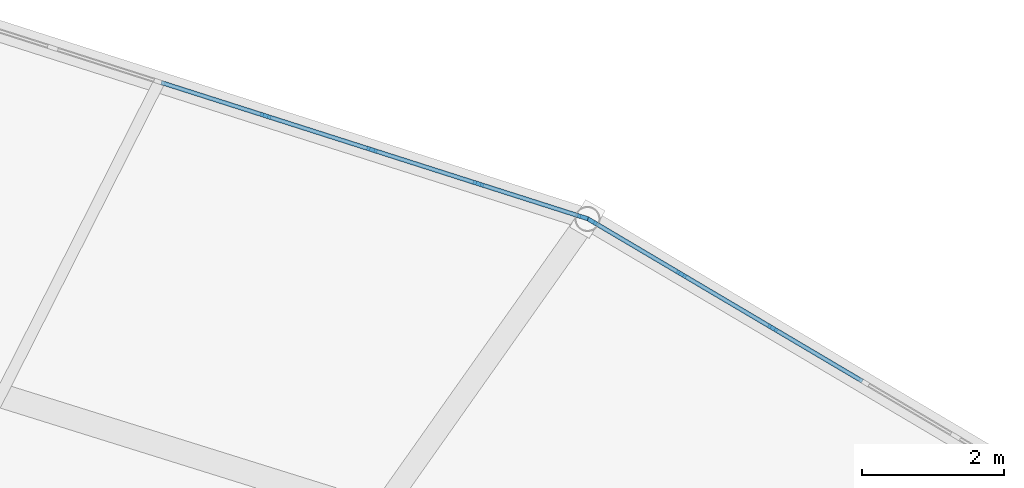
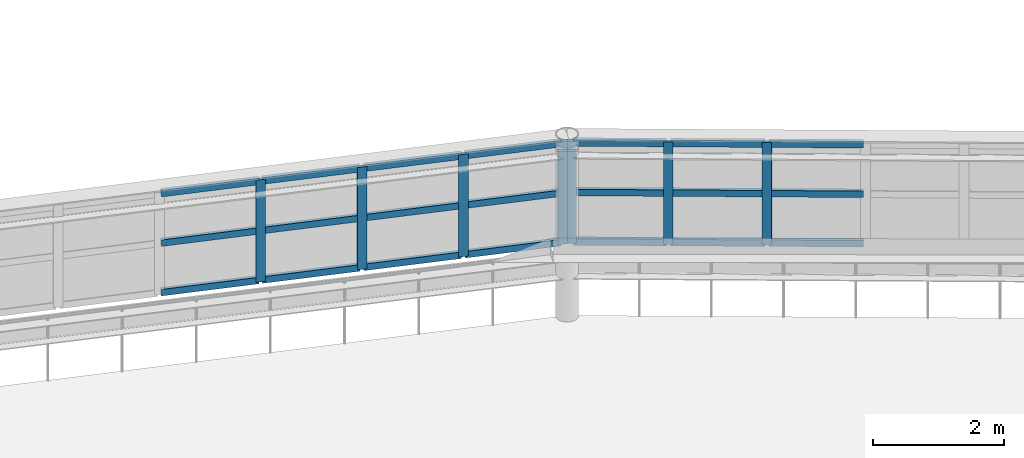
# One storey, part 55 of 123: 28 members, 2 elements without a shape of their own.
"""IFC4 building model written with IfcOpenShell, lengths in metres."""

import ifcopenshell
import ifcopenshell.guid

model = None  # the IFC model being written
_history = None  # IfcOwnerHistory: only IFC2X3 demands one
_inside = {}  # id of a spatial element -> (the spatial element, [elements in it])
_under = {}  # id of a project, library or spatial element -> (it, [spatial elements below it])
_declared = {}  # id of a project -> (the project, [libraries it declares])
_typed = {}  # id of a type object -> (the type object, [elements of that type])
_made_of = {}  # id of a material, layer set ... -> (it, [elements and type objects made of it])


def new_model(schema):
    """Start an empty IFC model of exactly this schema.

    Asked for "IFC4X3", IfcOpenShell would pick the latest addendum, in which some entities
    have other attributes; the version numbers below select the first issue.
    IFC2X3 requires an IfcOwnerHistory on every rooted entity: one is made here for all.
    """
    global model, _history
    if schema == "IFC4X3":
        model = ifcopenshell.file(schema_version=(4, 3, 0, 0))
    else:
        model = ifcopenshell.file(schema=schema)
    _inside.clear()
    _under.clear()
    _declared.clear()
    _typed.clear()
    _made_of.clear()
    _history = None
    if model.schema == "IFC2X3":
        org = make("IfcOrganization", Name="unknown")
        user = make(
            "IfcPersonAndOrganization",
            ThePerson=make("IfcPerson", FamilyName="unknown"),
            TheOrganization=org,
        )
        app = make(
            "IfcApplication",
            ApplicationDeveloper=org,
            Version="unknown",
            ApplicationFullName="unknown",
            ApplicationIdentifier="unknown",
        )
        _history = make(
            "IfcOwnerHistory",
            OwningUser=user,
            OwningApplication=app,
            ChangeAction="ADDED",
            CreationDate=0,
        )
    return model


def make(cls, **values):
    """One entity of the class cls with the attributes given. An attribute that is None is left unset."""
    return model.create_entity(
        cls, **{name: value for name, value in values.items() if value is not None}
    )


def rooted(cls, **values):
    """An entity with a GlobalId (a new one), such as an element, a storey or a relation."""
    return make(cls, GlobalId=ifcopenshell.guid.new(), OwnerHistory=_history, **values)


def si_unit(unit_type, name, prefix=None):
    """IfcSIUnit, for example si_unit("LENGTHUNIT", "METRE", prefix="MILLI")."""
    return make("IfcSIUnit", UnitType=unit_type, Prefix=prefix, Name=name)


def assignment(units):
    """IfcUnitAssignment: the units of a project."""
    return None if units is None else make("IfcUnitAssignment", Units=units)


def point(xyz):
    """IfcCartesianPoint."""
    return None if xyz is None else make("IfcCartesianPoint", Coordinates=xyz)


def direction(xyz):
    """IfcDirection."""
    return None if xyz is None else make("IfcDirection", DirectionRatios=xyz)


def frame(location, z_axis=None, x_axis=None):
    """IfcAxis2Placement3D, a coordinate frame: its origin and axes. An axis left out is left unset."""
    return make(
        "IfcAxis2Placement3D",
        Location=point(location),
        Axis=direction(z_axis),
        RefDirection=direction(x_axis),
    )


def frame_2d(location, x_axis=None):
    """IfcAxis2Placement2D, a coordinate frame in the plane: its origin and x axis."""
    return make(
        "IfcAxis2Placement2D", Location=point(location), RefDirection=direction(x_axis)
    )


def origin():
    """The frame at (0, 0, 0) with its axes left unset."""
    return frame((0.0, 0.0, 0.0))


def origin_2d():
    """The frame at (0, 0) in the plane with its x axis left unset."""
    return frame_2d((0.0, 0.0))


def place(relative_to, where):
    """IfcLocalPlacement: puts the frame where relative to a parent placement (None: the world)."""
    return make(
        "IfcLocalPlacement", PlacementRelTo=relative_to, RelativePlacement=where
    )


def context(
    kind, dimensions, precision=None, world=None, true_north=None, identifier=None
):
    """IfcGeometricRepresentationContext, for example the 3D "Model" context."""
    return make(
        "IfcGeometricRepresentationContext",
        ContextIdentifier=identifier,
        ContextType=kind,
        CoordinateSpaceDimension=dimensions,
        Precision=precision,
        WorldCoordinateSystem=world,
        TrueNorth=true_north,
    )


def subcontext(parent, identifier, kind, view, scale=None):
    """IfcGeometricRepresentationSubContext, for example "Body" below "Model"."""
    return make(
        "IfcGeometricRepresentationSubContext",
        ContextIdentifier=identifier,
        ContextType=kind,
        ParentContext=parent,
        TargetScale=scale,
        TargetView=view,
    )


def project(units=None, contexts=None):
    """IfcProject with its units and contexts."""
    return rooted(
        "IfcProject",
        Name="project",
        RepresentationContexts=contexts,
        UnitsInContext=assignment(units),
    )


def spatial(cls, under=None, at=None, **own):
    """A site, building, storey or space (cls), placed at a placement, below another one or the project."""
    s = rooted(cls, ObjectPlacement=at, **own)
    if under is not None:
        _under.setdefault(under.id(), (under, []))[1].append(s)
    return s


def profile(cls, at=None, kind="AREA", **sizes):
    """A parametric profile (cls). Its sizes go by their IFC names, for example OverallWidth=200.0."""
    return make(cls, ProfileType=kind, Position=at, **sizes)


def rectangle(**sizes):
    """IfcRectangleProfileDef."""
    return profile("IfcRectangleProfileDef", **sizes)


def extrude(swept, where, along, depth):
    """IfcExtrudedAreaSolid: the profile swept, set in the frame where, extruded along a direction by depth."""
    return make(
        "IfcExtrudedAreaSolid",
        SweptArea=swept,
        Position=where,
        ExtrudedDirection=direction(along),
        Depth=depth,
    )


def shape(context_of_items, identifier, shape_type, items):
    """IfcShapeRepresentation: the items that make up one representation, for example the "Body"."""
    return make(
        "IfcShapeRepresentation",
        ContextOfItems=context_of_items,
        RepresentationIdentifier=identifier,
        RepresentationType=shape_type,
        Items=items,
    )


def material(Name=None, Category=None):
    """IfcMaterial."""
    return make("IfcMaterial", Name=Name, Category=Category)


def material_profile(
    of_material, cross_section, Name=None, Category=None, Priority=None
):
    """IfcMaterialProfile: a cross section and its material."""
    return make(
        "IfcMaterialProfile",
        Name=Name,
        Material=of_material,
        Profile=cross_section,
        Priority=Priority,
        Category=Category,
    )


def profile_set(profiles, Name=None, composite=None):
    """IfcMaterialProfileSet."""
    return make(
        "IfcMaterialProfileSet",
        Name=Name,
        MaterialProfiles=profiles,
        CompositeProfile=composite,
    )


def made_of(thing, what):
    """Note that an element or type object is made of a material, layer set ...; save() writes the relation."""
    if what is not None:
        _made_of.setdefault(what.id(), (what, []))[1].append(thing)
    return thing


def type_object(cls, material=None, **own):
    """A type object (cls), such as IfcWallType, which elements share."""
    return made_of(rooted(cls, **own), material)


def element(
    cls,
    number,
    at=None,
    inside=None,
    cuts=None,
    type_object=None,
    material=None,
    context=None,
    identifier="Body",
    shape_type=None,
    held_by="IfcProductDefinitionShape",
    body=None,
    shapes=None,
    **own,
):
    """One element of the class cls, such as IfcWall. Its Tag is "e" and its number.

    at: its placement. inside: the storey or other place that contains it. cuts: it is an
    opening in that element (IfcRelVoidsElement). A single representation is given by context,
    identifier, shape_type and body (its items); several are given by shapes. held_by: the class
    of the entity that holds the representations. save() writes the other relations.
    """
    e = rooted(cls, Tag="e%d" % number, ObjectPlacement=at, **own)
    if body is not None:
        shapes = [shape(context, identifier, shape_type, body)]
    if shapes is not None:
        e.Representation = make(held_by, Representations=shapes)
    if inside is not None:
        _inside.setdefault(inside.id(), (inside, []))[1].append(e)
    if cuts is not None:
        rooted(
            "IfcRelVoidsElement", RelatingBuildingElement=cuts, RelatedOpeningElement=e
        )
    if type_object is not None:
        _typed.setdefault(type_object.id(), (type_object, []))[1].append(e)
    return made_of(e, material)


def aggregate(whole, parts):
    """IfcRelAggregates: a whole, such as a stair, and the parts it consists of."""
    return rooted("IfcRelAggregates", RelatingObject=whole, RelatedObjects=parts)


def save(model, path):
    """Write the relations noted so far, then the file.

    IfcRelAggregates (storeys below a building ...), IfcRelContainedInSpatialStructure (elements
    in a storey), IfcRelDefinesByType, IfcRelAssociatesMaterial and IfcRelDeclares: one each for
    every whole, place, type object, material and project.
    """
    for whole, parts in _under.values():
        aggregate(whole, parts)
    for where, things in _inside.values():
        rooted(
            "IfcRelContainedInSpatialStructure",
            RelatedElements=things,
            RelatingStructure=where,
        )
    for kind, things in _typed.values():
        rooted("IfcRelDefinesByType", RelatedObjects=things, RelatingType=kind)
    for what, things in _made_of.values():
        rooted("IfcRelAssociatesMaterial", RelatedObjects=things, RelatingMaterial=what)
    for by, libraries in _declared.values():
        rooted("IfcRelDeclares", RelatingContext=by, RelatedDefinitions=libraries)
    model.write(path)


model = new_model("IFC4")

# Units and contexts
model_context = context("Model", 3, precision=1e-05, world=origin(), true_north=direction((0.0, 1.0)))
body_context = subcontext(model_context, "Body", "Model", "MODEL_VIEW")
ifc_project = project(units=[si_unit("LENGTHUNIT", "METRE"), si_unit("AREAUNIT", "SQUARE_METRE"), si_unit("VOLUMEUNIT", "CUBIC_METRE"), si_unit("PLANEANGLEUNIT", "RADIAN"), si_unit("MASSUNIT", "GRAM", prefix="KILO")], contexts=[model_context])

# Site, building, storey
site_placement = place(None, origin())
site = spatial("IfcSite", under=ifc_project, at=site_placement, CompositionType="ELEMENT")
building_placement = place(site_placement, origin())
building = spatial("IfcBuilding", under=site, at=building_placement, Name="Kildeholm Park Wholesale Market", CompositionType="ELEMENT")
storey_placement = place(building_placement, frame((0.0, 0.0, 9.60009765625)))
storey = spatial("IfcBuildingStorey", under=building, at=storey_placement, Name="L02", CompositionType="ELEMENT", Elevation=9.60009765625)

# Curtain wall, members
ifc_material_1 = material(Name="Anodised aluminium and low-E double-glazed glass", Category="aluminium")
curtain_wall_type = type_object("IfcCurtainWallType", Name="Clerestory daylight stick curtain wall CW-02", PredefinedType="NOTDEFINED", material=ifc_material_1)
curtain_wall_1_placement = place(storey_placement, origin())
curtain_wall_1 = element("IfcCurtainWall", 1, at=curtain_wall_1_placement, inside=storey, type_object=curtain_wall_type, Name="Curtain wall CW-V1-CL-03 CW-0017", PredefinedType="NOTDEFINED")
ifc_material_2 = material(Name="Anodised aluminium", Category="aluminium")
ifc_material_profile_1 = material_profile(ifc_material_2, rectangle(XDim=0.06005859375, YDim=0.14990234375, at=origin_2d()), Name="CWM 60x150")
ifc_profile_set_1 = profile_set([ifc_material_profile_1], Name="Anodised aluminium")
member_type_1 = type_object("IfcMemberType", Name="Curtain-wall mullion CWM-3 CWM 60x150", PredefinedType="MULLION", material=ifc_profile_set_1)
member_1_placement = place(storey_placement, frame((126.719970703125, 121.470703125, 1.349853515625), z_axis=(0.0, 0.0, 1.0), x_axis=(-0.509105492275, -0.860704129033, 0.0)))
member_1 = element("IfcMember", 2, at=member_1_placement, type_object=member_type_1, Name="CW-02 mullion 7 MEM-0816", PredefinedType="MULLION", context=body_context, shape_type="SweptSolid", body=[
    extrude(rectangle(XDim=0.06005859375, YDim=0.14990234375, at=origin_2d()), origin(), (0.0, 0.0, 1.0), 1.900146484375),
])
member_2_placement = place(storey_placement, frame((125.428955078125, 122.234375, 1.349853515625), z_axis=(0.0, 0.0, 1.0), x_axis=(-0.509105492275, -0.860704129033, 0.0)))
member_2 = element("IfcMember", 3, at=member_2_placement, type_object=member_type_1, Name="CW-02 mullion 8 MEM-0817", PredefinedType="MULLION", context=body_context, shape_type="SweptSolid", body=[
    extrude(rectangle(XDim=0.06005859375, YDim=0.14990234375, at=origin_2d()), origin(), (0.0, 0.0, 1.0), 1.900146484375),
])
member_3_placement = place(storey_placement, frame((124.163818359375, 122.982666015625, 1.349853515625), z_axis=(0.0, 0.0, 1.0), x_axis=(-0.509105492275, -0.860704129033, 0.0)))
member_3 = element("IfcMember", 4, at=member_3_placement, type_object=member_type_1, Name="CW-02 mullion 9 MEM-0818", PredefinedType="MULLION", context=body_context, shape_type="SweptSolid", body=[
    extrude(rectangle(XDim=0.06005859375, YDim=0.14990234375, at=origin_2d()), origin(), (0.0, 0.0, 1.0), 1.900146484375),
])

curtain_wall_2_placement = place(storey_placement, origin())
curtain_wall_2 = element("IfcCurtainWall", 5, at=curtain_wall_2_placement, inside=storey, type_object=curtain_wall_type, Name="Curtain wall CW-V1-CL-04 CW-0022", PredefinedType="NOTDEFINED")
member_4_placement = place(storey_placement, frame((124.035400390625, 123.0400390625, 1.349853515625), z_axis=(0.0, 0.0, 1.0), x_axis=(-0.304206822997, -0.952606009241, 0.0)))
member_4 = element("IfcMember", 6, at=member_4_placement, type_object=member_type_1, Name="CW-02 mullion 1 MEM-0959", PredefinedType="MULLION", context=body_context, shape_type="SweptSolid", body=[
    extrude(rectangle(XDim=0.06005859375, YDim=0.14990234375, at=origin_2d()), origin(), (0.0, 0.0, 1.0), 1.900146484375),
])
member_5_placement = place(storey_placement, frame((122.56005859375, 123.51123046875, 1.349853515625), z_axis=(0.0, 0.0, 1.0), x_axis=(-0.304206822997, -0.952606009241, 0.0)))
member_5 = element("IfcMember", 7, at=member_5_placement, type_object=member_type_1, Name="CW-02 mullion 2 MEM-0960", PredefinedType="MULLION", context=body_context, shape_type="SweptSolid", body=[
    extrude(rectangle(XDim=0.06005859375, YDim=0.14990234375, at=origin_2d()), origin(), (0.0, 0.0, 1.0), 1.900146484375),
])
member_6_placement = place(storey_placement, frame((121.05615234375, 123.991455078125, 1.349853515625), z_axis=(0.0, 0.0, 1.0), x_axis=(-0.304206822997, -0.952606009241, 0.0)))
member_6 = element("IfcMember", 8, at=member_6_placement, type_object=member_type_1, Name="CW-02 mullion 3 MEM-0961", PredefinedType="MULLION", context=body_context, shape_type="SweptSolid", body=[
    extrude(rectangle(XDim=0.06005859375, YDim=0.14990234375, at=origin_2d()), origin(), (0.0, 0.0, 1.0), 1.900146484375),
])
member_7_placement = place(storey_placement, frame((119.552490234375, 124.4716796875, 1.349853515625), z_axis=(0.0, 0.0, 1.0), x_axis=(-0.304206822997, -0.952606009241, 0.0)))
member_7 = element("IfcMember", 9, at=member_7_placement, type_object=member_type_1, Name="CW-02 mullion 4 MEM-0962", PredefinedType="MULLION", context=body_context, shape_type="SweptSolid", body=[
    extrude(rectangle(XDim=0.06005859375, YDim=0.14990234375, at=origin_2d()), origin(), (0.0, 0.0, 1.0), 1.900146484375),
])

# Member
ifc_material_profile_2 = material_profile(ifc_material_2, rectangle(XDim=0.06005859375, YDim=0.1201171875, at=origin_2d()), Name="CWT 60x120")
ifc_profile_set_2 = profile_set([ifc_material_profile_2], Name="Anodised aluminium")
member_type_2 = type_object("IfcMemberType", Name="Curtain-wall transom CWT-3 CWT 60x120", PredefinedType="USERDEFINED", material=ifc_profile_set_2)
member_8_placement = place(storey_placement, frame((127.985107421875, 120.722412109375, 1.3798828125), z_axis=(-0.860663121706, 0.509174813728, 0.0), x_axis=(-0.509174813728, -0.860663121706, 0.0)))
member_8 = element("IfcMember", 10, at=member_8_placement, type_object=member_type_2, Name="CW-02 transom 6.1 MEM-0834", ObjectType="TRANSOM", PredefinedType="USERDEFINED", context=body_context, shape_type="SweptSolid", body=[
    extrude(rectangle(XDim=0.06005859375, YDim=0.1201171875, at=origin_2d()), origin(), (0.0, 0.0, 1.0), 1.43994140625),
])

member_9_placement = place(storey_placement, frame((127.985107421875, 120.722412109375, 2.2998046875), z_axis=(-0.860663121706, 0.509174813728, 0.0), x_axis=(-0.509174813728, -0.860663121706, 0.0)))
member_9 = element("IfcMember", 11, at=member_9_placement, type_object=member_type_2, Name="CW-02 transom 6.2 MEM-0835", ObjectType="TRANSOM", PredefinedType="USERDEFINED", context=body_context, shape_type="SweptSolid", body=[
    extrude(rectangle(XDim=0.06005859375, YDim=0.1201171875, at=origin_2d()), origin(), (0.0, 0.0, 1.0), 1.43994140625),
])

member_10_placement = place(storey_placement, frame((127.985107421875, 120.722412109375, 3.219970703125), z_axis=(-0.860663121706, 0.509174813728, 0.0), x_axis=(-0.509174813728, -0.860663121706, 0.0)))
member_10 = element("IfcMember", 12, at=member_10_placement, type_object=member_type_2, Name="CW-02 transom 6.3 MEM-0836", ObjectType="TRANSOM", PredefinedType="USERDEFINED", context=body_context, shape_type="SweptSolid", body=[
    extrude(rectangle(XDim=0.06005859375, YDim=0.1201171875, at=origin_2d()), origin(), (0.0, 0.0, 1.0), 1.43994140625),
])

member_11_placement = place(storey_placement, frame((126.694091796875, 121.486083984375, 1.3798828125), z_axis=(-0.860737422869, 0.509049200838, 0.0), x_axis=(-0.509049200838, -0.860737422869, 0.0)))
member_11 = element("IfcMember", 13, at=member_11_placement, type_object=member_type_2, Name="CW-02 transom 7.1 MEM-0837", ObjectType="TRANSOM", PredefinedType="USERDEFINED", context=body_context, shape_type="SweptSolid", body=[
    extrude(rectangle(XDim=0.06005859375, YDim=0.1201171875, at=origin_2d()), origin(), (0.0, 0.0, 1.0), 1.439697265625),
])

member_12_placement = place(storey_placement, frame((126.694091796875, 121.486083984375, 2.2998046875), z_axis=(-0.860737422869, 0.509049200838, 0.0), x_axis=(-0.509049200838, -0.860737422869, 0.0)))
member_12 = element("IfcMember", 14, at=member_12_placement, type_object=member_type_2, Name="CW-02 transom 7.2 MEM-0838", ObjectType="TRANSOM", PredefinedType="USERDEFINED", context=body_context, shape_type="SweptSolid", body=[
    extrude(rectangle(XDim=0.06005859375, YDim=0.1201171875, at=origin_2d()), origin(), (0.0, 0.0, 1.0), 1.439697265625),
])

member_13_placement = place(storey_placement, frame((126.694091796875, 121.486083984375, 3.219970703125), z_axis=(-0.860737422869, 0.509049200838, 0.0), x_axis=(-0.509049200838, -0.860737422869, 0.0)))
member_13 = element("IfcMember", 15, at=member_13_placement, type_object=member_type_2, Name="CW-02 transom 7.3 MEM-0839", ObjectType="TRANSOM", PredefinedType="USERDEFINED", context=body_context, shape_type="SweptSolid", body=[
    extrude(rectangle(XDim=0.06005859375, YDim=0.1201171875, at=origin_2d()), origin(), (0.0, 0.0, 1.0), 1.439697265625),
])

member_14_placement = place(storey_placement, frame((125.403076171875, 122.249755859375, 1.3798828125), z_axis=(-0.860685098679, 0.509137664008, 0.0), x_axis=(-0.509137664008, -0.860685098679, 0.0)))
member_14 = element("IfcMember", 16, at=member_14_placement, type_object=member_type_2, Name="CW-02 transom 8.1 MEM-0840", ObjectType="TRANSOM", PredefinedType="USERDEFINED", context=body_context, shape_type="SweptSolid", body=[
    extrude(rectangle(XDim=0.06005859375, YDim=0.1201171875, at=origin_2d()), origin(), (0.0, 0.0, 1.0), 1.40966796875),
])

member_15_placement = place(storey_placement, frame((125.403076171875, 122.249755859375, 2.2998046875), z_axis=(-0.860685098679, 0.509137664008, 0.0), x_axis=(-0.509137664008, -0.860685098679, 0.0)))
member_15 = element("IfcMember", 17, at=member_15_placement, type_object=member_type_2, Name="CW-02 transom 8.2 MEM-0841", ObjectType="TRANSOM", PredefinedType="USERDEFINED", context=body_context, shape_type="SweptSolid", body=[
    extrude(rectangle(XDim=0.06005859375, YDim=0.1201171875, at=origin_2d()), origin(), (0.0, 0.0, 1.0), 1.40966796875),
])

member_16_placement = place(storey_placement, frame((125.403076171875, 122.249755859375, 3.219970703125), z_axis=(-0.860685098679, 0.509137664008, 0.0), x_axis=(-0.509137664008, -0.860685098679, 0.0)))
member_16 = element("IfcMember", 18, at=member_16_placement, type_object=member_type_2, Name="CW-02 transom 8.3 MEM-0842", ObjectType="TRANSOM", PredefinedType="USERDEFINED", context=body_context, shape_type="SweptSolid", body=[
    extrude(rectangle(XDim=0.06005859375, YDim=0.1201171875, at=origin_2d()), origin(), (0.0, 0.0, 1.0), 1.40966796875),
])

aggregate(curtain_wall_1, [member_1, member_2, member_3, member_8, member_9, member_10, member_11, member_12, member_13, member_14, member_15, member_16])

member_17_placement = place(storey_placement, frame((124.0068359375, 123.04931640625, 1.3798828125), z_axis=(-0.952608667533, 0.304198498584, 0.0), x_axis=(-0.304198498584, -0.952608667533, 0.0)))
member_17 = element("IfcMember", 19, at=member_17_placement, type_object=member_type_2, Name="CW-02 transom 1.1 MEM-0968", ObjectType="TRANSOM", PredefinedType="USERDEFINED", context=body_context, shape_type="SweptSolid", body=[
    extrude(rectangle(XDim=0.06005859375, YDim=0.1201171875, at=origin_2d()), origin(), (0.0, 0.0, 1.0), 1.48876953125),
])

member_18_placement = place(storey_placement, frame((124.0068359375, 123.04931640625, 2.2998046875), z_axis=(-0.952608667533, 0.304198498584, 0.0), x_axis=(-0.304198498584, -0.952608667533, 0.0)))
member_18 = element("IfcMember", 20, at=member_18_placement, type_object=member_type_2, Name="CW-02 transom 1.2 MEM-0969", ObjectType="TRANSOM", PredefinedType="USERDEFINED", context=body_context, shape_type="SweptSolid", body=[
    extrude(rectangle(XDim=0.06005859375, YDim=0.1201171875, at=origin_2d()), origin(), (0.0, 0.0, 1.0), 1.48876953125),
])

member_19_placement = place(storey_placement, frame((124.0068359375, 123.04931640625, 3.219970703125), z_axis=(-0.952608667533, 0.304198498584, 0.0), x_axis=(-0.304198498584, -0.952608667533, 0.0)))
member_19 = element("IfcMember", 21, at=member_19_placement, type_object=member_type_2, Name="CW-02 transom 1.3 MEM-0970", ObjectType="TRANSOM", PredefinedType="USERDEFINED", context=body_context, shape_type="SweptSolid", body=[
    extrude(rectangle(XDim=0.06005859375, YDim=0.1201171875, at=origin_2d()), origin(), (0.0, 0.0, 1.0), 1.48876953125),
])

member_20_placement = place(storey_placement, frame((122.531494140625, 123.520263671875, 1.3798828125), z_axis=(-0.952578937282, 0.304291584252, 0.0), x_axis=(-0.304291584252, -0.952578937282, 0.0)))
member_20 = element("IfcMember", 22, at=member_20_placement, type_object=member_type_2, Name="CW-02 transom 2.1 MEM-0971", ObjectType="TRANSOM", PredefinedType="USERDEFINED", context=body_context, shape_type="SweptSolid", body=[
    extrude(rectangle(XDim=0.06005859375, YDim=0.1201171875, at=origin_2d()), origin(), (0.0, 0.0, 1.0), 1.518798828125),
])

member_21_placement = place(storey_placement, frame((122.531494140625, 123.520263671875, 2.2998046875), z_axis=(-0.952578937282, 0.304291584252, 0.0), x_axis=(-0.304291584252, -0.952578937282, 0.0)))
member_21 = element("IfcMember", 23, at=member_21_placement, type_object=member_type_2, Name="CW-02 transom 2.2 MEM-0972", ObjectType="TRANSOM", PredefinedType="USERDEFINED", context=body_context, shape_type="SweptSolid", body=[
    extrude(rectangle(XDim=0.06005859375, YDim=0.1201171875, at=origin_2d()), origin(), (0.0, 0.0, 1.0), 1.518798828125),
])

member_22_placement = place(storey_placement, frame((122.531494140625, 123.520263671875, 3.219970703125), z_axis=(-0.952578937282, 0.304291584252, 0.0), x_axis=(-0.304291584252, -0.952578937282, 0.0)))
member_22 = element("IfcMember", 24, at=member_22_placement, type_object=member_type_2, Name="CW-02 transom 2.3 MEM-0973", ObjectType="TRANSOM", PredefinedType="USERDEFINED", context=body_context, shape_type="SweptSolid", body=[
    extrude(rectangle(XDim=0.06005859375, YDim=0.1201171875, at=origin_2d()), origin(), (0.0, 0.0, 1.0), 1.518798828125),
])

member_23_placement = place(storey_placement, frame((121.027587890625, 124.000732421875, 1.3798828125), z_axis=(-0.952610648558, 0.304192294864, 0.0), x_axis=(-0.304192294864, -0.952610648558, 0.0)))
member_23 = element("IfcMember", 25, at=member_23_placement, type_object=member_type_2, Name="CW-02 transom 3.1 MEM-0974", ObjectType="TRANSOM", PredefinedType="USERDEFINED", context=body_context, shape_type="SweptSolid", body=[
    extrude(rectangle(XDim=0.06005859375, YDim=0.1201171875, at=origin_2d()), origin(), (0.0, 0.0, 1.0), 1.5185546875),
])

member_24_placement = place(storey_placement, frame((121.027587890625, 124.000732421875, 2.2998046875), z_axis=(-0.952610648558, 0.304192294864, 0.0), x_axis=(-0.304192294864, -0.952610648558, 0.0)))
member_24 = element("IfcMember", 26, at=member_24_placement, type_object=member_type_2, Name="CW-02 transom 3.2 MEM-0975", ObjectType="TRANSOM", PredefinedType="USERDEFINED", context=body_context, shape_type="SweptSolid", body=[
    extrude(rectangle(XDim=0.06005859375, YDim=0.1201171875, at=origin_2d()), origin(), (0.0, 0.0, 1.0), 1.5185546875),
])

member_25_placement = place(storey_placement, frame((121.027587890625, 124.000732421875, 3.219970703125), z_axis=(-0.952610648558, 0.304192294864, 0.0), x_axis=(-0.304192294864, -0.952610648558, 0.0)))
member_25 = element("IfcMember", 27, at=member_25_placement, type_object=member_type_2, Name="CW-02 transom 3.3 MEM-0976", ObjectType="TRANSOM", PredefinedType="USERDEFINED", context=body_context, shape_type="SweptSolid", body=[
    extrude(rectangle(XDim=0.06005859375, YDim=0.1201171875, at=origin_2d()), origin(), (0.0, 0.0, 1.0), 1.5185546875),
])

member_26_placement = place(storey_placement, frame((119.523681640625, 124.48095703125, 1.3798828125), z_axis=(-0.952610648558, 0.304192294864, 0.0), x_axis=(-0.304192294864, -0.952610648558, 0.0)))
member_26 = element("IfcMember", 28, at=member_26_placement, type_object=member_type_2, Name="CW-02 transom 4.1 MEM-0977", ObjectType="TRANSOM", PredefinedType="USERDEFINED", context=body_context, shape_type="SweptSolid", body=[
    extrude(rectangle(XDim=0.06005859375, YDim=0.1201171875, at=origin_2d()), origin(), (0.0, 0.0, 1.0), 1.5185546875),
])

member_27_placement = place(storey_placement, frame((119.523681640625, 124.48095703125, 2.2998046875), z_axis=(-0.952610648558, 0.304192294864, 0.0), x_axis=(-0.304192294864, -0.952610648558, 0.0)))
member_27 = element("IfcMember", 29, at=member_27_placement, type_object=member_type_2, Name="CW-02 transom 4.2 MEM-0978", ObjectType="TRANSOM", PredefinedType="USERDEFINED", context=body_context, shape_type="SweptSolid", body=[
    extrude(rectangle(XDim=0.06005859375, YDim=0.1201171875, at=origin_2d()), origin(), (0.0, 0.0, 1.0), 1.5185546875),
])

member_28_placement = place(storey_placement, frame((119.523681640625, 124.48095703125, 3.219970703125), z_axis=(-0.952610648558, 0.304192294864, 0.0), x_axis=(-0.304192294864, -0.952610648558, 0.0)))
member_28 = element("IfcMember", 30, at=member_28_placement, type_object=member_type_2, Name="CW-02 transom 4.3 MEM-0979", ObjectType="TRANSOM", PredefinedType="USERDEFINED", context=body_context, shape_type="SweptSolid", body=[
    extrude(rectangle(XDim=0.06005859375, YDim=0.1201171875, at=origin_2d()), origin(), (0.0, 0.0, 1.0), 1.5185546875),
])

aggregate(curtain_wall_2, [member_4, member_5, member_6, member_7, member_17, member_18, member_19, member_20, member_21, member_22, member_23, member_24, member_25, member_26, member_27, member_28])

save(model, "model.ifc")
